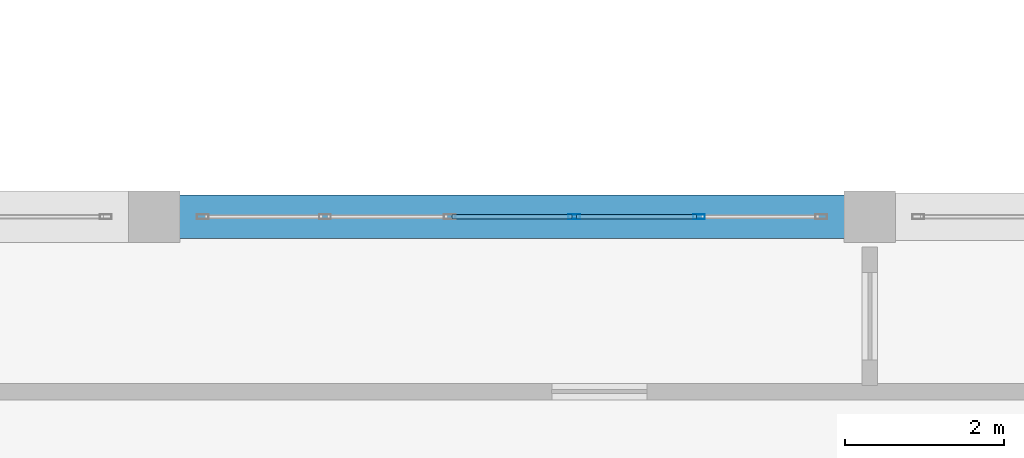
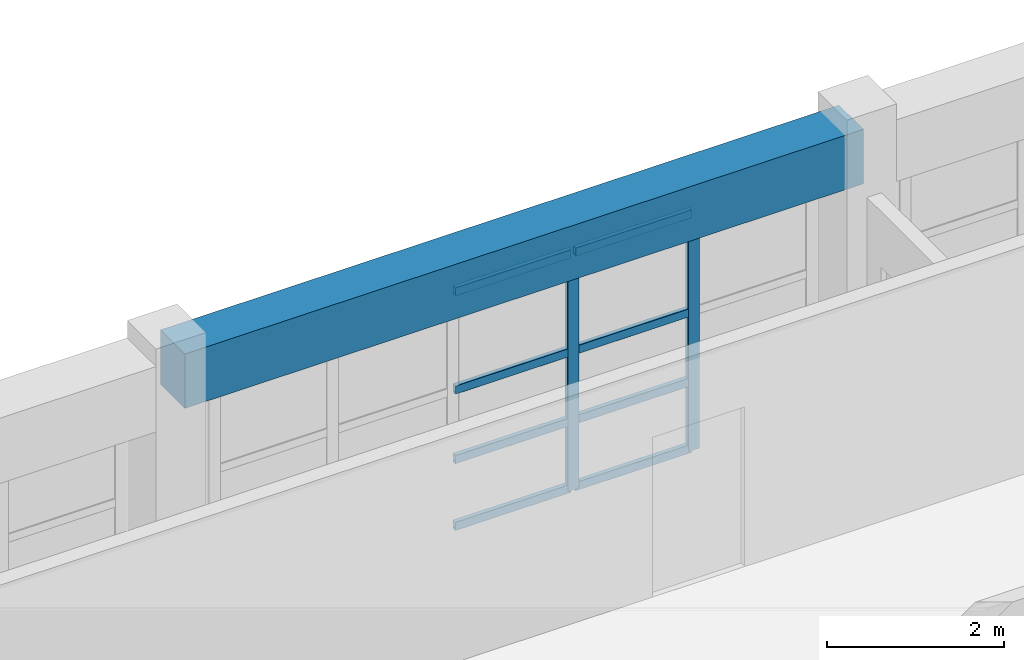
# One storey, part 23 of 130: 10 members, 1 beam, 1 element without a shape of its own.
"""IFC4 building model written with IfcOpenShell, lengths in metres."""

from ifc_helpers import new_model, si_unit, direction, frame, origin, origin_2d, place, context, subcontext, project, spatial, rectangle, hollow_rectangle, extrude, material, material_profile, profile_set, type_object, element, aggregate, save


model = new_model("IFC4")

# Units and contexts
model_context = context("Model", 3, precision=1e-05, world=origin(), true_north=direction((0.0, 1.0)))
body_context = subcontext(model_context, "Body", "Model", "MODEL_VIEW")
ifc_project = project(units=[si_unit("LENGTHUNIT", "METRE"), si_unit("AREAUNIT", "SQUARE_METRE"), si_unit("VOLUMEUNIT", "CUBIC_METRE"), si_unit("PLANEANGLEUNIT", "RADIAN"), si_unit("MASSUNIT", "GRAM", prefix="KILO")], contexts=[model_context])

# Site, building, storey
site_placement = place(None, origin())
site = spatial("IfcSite", under=ifc_project, at=site_placement, CompositionType="ELEMENT")
building_placement = place(site_placement, origin())
building = spatial("IfcBuilding", under=site, at=building_placement, Name="Miravela Opera House", CompositionType="ELEMENT")
storey_placement = place(building_placement, frame((0.0, 0.0, 9.52001953125)))
storey = spatial("IfcBuildingStorey", under=building, at=storey_placement, Name="L02", CompositionType="ELEMENT", Elevation=9.52001953125)

# Curtain wall, members
ifc_material_1 = material(Name="Anodised architectural bronze aluminium 6063-T6", Category="aluminium")
curtain_wall_type = type_object("IfcCurtainWallType", Name="ARC-CW-06", PredefinedType="NOTDEFINED", material=ifc_material_1)
curtain_wall_placement = place(storey_placement, origin())
curtain_wall = element("IfcCurtainWall", 1, at=curtain_wall_placement, inside=storey, type_object=curtain_wall_type, Name="Courtyard Arcade Curtain Wall CW-L02-141", PredefinedType="NOTDEFINED")
ifc_material_profile_1 = material_profile(ifc_material_1, hollow_rectangle(XDim=0.06005859375, YDim=0.14990234375, WallThickness=0.00390625, InnerFilletRadius=0.001953125, OuterFilletRadius=0.00390625, at=origin_2d()), Name="CWM-60X150")
ifc_profile_set_1 = profile_set([ifc_material_profile_1])
member_type_1 = type_object("IfcMemberType", Name="ARC-CWM-150", PredefinedType="MULLION", material=ifc_profile_set_1)
member_1_placement = place(storey_placement, frame((50.283935546875, 9.0, 0.0), z_axis=(0.0, 0.0, 1.0), x_axis=(0.0, 1.0, 0.0)))
member_1 = element("IfcMember", 2, at=member_1_placement, type_object=member_type_1, Name="CW-06 mullion 4", PredefinedType="MULLION", context=body_context, shape_type="SweptSolid", body=[
    extrude(hollow_rectangle(XDim=0.06005859375, YDim=0.14990234375, WallThickness=0.00390625, InnerFilletRadius=0.001953125, OuterFilletRadius=0.00390625, at=origin_2d()), origin(), (0.0, 0.0, 1.0), 3.2900390625),
])
member_2_placement = place(storey_placement, frame((51.85205078125, 9.0, 0.0), z_axis=(0.0, 0.0, 1.0), x_axis=(0.0, 1.0, 0.0)))
member_2 = element("IfcMember", 3, at=member_2_placement, type_object=member_type_1, Name="CW-06 mullion 5", PredefinedType="MULLION", context=body_context, shape_type="SweptSolid", body=[
    extrude(hollow_rectangle(XDim=0.06005859375, YDim=0.14990234375, WallThickness=0.00390625, InnerFilletRadius=0.001953125, OuterFilletRadius=0.00390625, at=origin_2d()), origin(), (0.0, 0.0, 1.0), 3.2900390625),
])
ifc_material_profile_2 = material_profile(ifc_material_1, hollow_rectangle(XDim=0.06005859375, YDim=0.114990234375, WallThickness=0.00390625, InnerFilletRadius=0.001953125, OuterFilletRadius=0.00390625, at=origin_2d()), Name="CWT-60X115")
ifc_profile_set_2 = profile_set([ifc_material_profile_2])
member_type_2 = type_object("IfcMemberType", Name="ARC-CWT-115", PredefinedType="USERDEFINED", material=ifc_profile_set_2)
member_3_placement = place(storey_placement, frame((48.74609375, 9.0, 0.030029296875), z_axis=(1.0, 0.0, 0.0), x_axis=(0.0, 1.0, 0.0)))
member_3 = element("IfcMember", 4, at=member_3_placement, type_object=member_type_2, Name="CW-06 transom 3.1", ObjectType="TRANSOM", PredefinedType="USERDEFINED", context=body_context, shape_type="SweptSolid", body=[
    extrude(hollow_rectangle(XDim=0.06005859375, YDim=0.114990234375, WallThickness=0.00390625, InnerFilletRadius=0.001953125, OuterFilletRadius=0.00390625, at=origin_2d()), origin(), (0.0, 0.0, 1.0), 1.5078125),
])
member_4_placement = place(storey_placement, frame((48.74609375, 9.0, 0.949951171875), z_axis=(1.0, 0.0, 0.0), x_axis=(0.0, 1.0, 0.0)))
member_4 = element("IfcMember", 5, at=member_4_placement, type_object=member_type_2, Name="CW-06 transom 3.2", ObjectType="TRANSOM", PredefinedType="USERDEFINED", context=body_context, shape_type="SweptSolid", body=[
    extrude(hollow_rectangle(XDim=0.06005859375, YDim=0.114990234375, WallThickness=0.00390625, InnerFilletRadius=0.001953125, OuterFilletRadius=0.00390625, at=origin_2d()), origin(), (0.0, 0.0, 1.0), 1.5078125),
])
member_5_placement = place(storey_placement, frame((48.74609375, 9.0, 1.908203125), z_axis=(1.0, 0.0, 0.0), x_axis=(0.0, 1.0, 0.0)))
member_5 = element("IfcMember", 6, at=member_5_placement, type_object=member_type_2, Name="CW-06 transom 3.3", ObjectType="TRANSOM", PredefinedType="USERDEFINED", context=body_context, shape_type="SweptSolid", body=[
    extrude(hollow_rectangle(XDim=0.06005859375, YDim=0.114990234375, WallThickness=0.00390625, InnerFilletRadius=0.001953125, OuterFilletRadius=0.00390625, at=origin_2d()), origin(), (0.0, 0.0, 1.0), 1.5078125),
])
member_6_placement = place(storey_placement, frame((48.74609375, 9.0, 3.260009765625), z_axis=(1.0, 0.0, 0.0), x_axis=(0.0, 1.0, 0.0)))
member_6 = element("IfcMember", 7, at=member_6_placement, type_object=member_type_2, Name="CW-06 transom 3.4", ObjectType="TRANSOM", PredefinedType="USERDEFINED", context=body_context, shape_type="SweptSolid", body=[
    extrude(hollow_rectangle(XDim=0.06005859375, YDim=0.114990234375, WallThickness=0.00390625, InnerFilletRadius=0.001953125, OuterFilletRadius=0.00390625, at=origin_2d()), origin(), (0.0, 0.0, 1.0), 1.5078125),
])
member_7_placement = place(storey_placement, frame((50.31396484375, 9.0, 0.030029296875), z_axis=(1.0, 0.0, 0.0), x_axis=(0.0, 1.0, 0.0)))
member_7 = element("IfcMember", 8, at=member_7_placement, type_object=member_type_2, Name="CW-06 transom 4.1", ObjectType="TRANSOM", PredefinedType="USERDEFINED", context=body_context, shape_type="SweptSolid", body=[
    extrude(hollow_rectangle(XDim=0.06005859375, YDim=0.114990234375, WallThickness=0.00390625, InnerFilletRadius=0.001953125, OuterFilletRadius=0.00390625, at=origin_2d()), origin(), (0.0, 0.0, 1.0), 1.508056640625),
])
member_8_placement = place(storey_placement, frame((50.31396484375, 9.0, 0.949951171875), z_axis=(1.0, 0.0, 0.0), x_axis=(0.0, 1.0, 0.0)))
member_8 = element("IfcMember", 9, at=member_8_placement, type_object=member_type_2, Name="CW-06 transom 4.2", ObjectType="TRANSOM", PredefinedType="USERDEFINED", context=body_context, shape_type="SweptSolid", body=[
    extrude(hollow_rectangle(XDim=0.06005859375, YDim=0.114990234375, WallThickness=0.00390625, InnerFilletRadius=0.001953125, OuterFilletRadius=0.00390625, at=origin_2d()), origin(), (0.0, 0.0, 1.0), 1.508056640625),
])
member_9_placement = place(storey_placement, frame((50.31396484375, 9.0, 1.908203125), z_axis=(1.0, 0.0, 0.0), x_axis=(0.0, 1.0, 0.0)))
member_9 = element("IfcMember", 10, at=member_9_placement, type_object=member_type_2, Name="CW-06 transom 4.3", ObjectType="TRANSOM", PredefinedType="USERDEFINED", context=body_context, shape_type="SweptSolid", body=[
    extrude(hollow_rectangle(XDim=0.06005859375, YDim=0.114990234375, WallThickness=0.00390625, InnerFilletRadius=0.001953125, OuterFilletRadius=0.00390625, at=origin_2d()), origin(), (0.0, 0.0, 1.0), 1.508056640625),
])
member_10_placement = place(storey_placement, frame((50.31396484375, 9.0, 3.260009765625), z_axis=(1.0, 0.0, 0.0), x_axis=(0.0, 1.0, 0.0)))
member_10 = element("IfcMember", 11, at=member_10_placement, type_object=member_type_2, Name="CW-06 transom 4.4", ObjectType="TRANSOM", PredefinedType="USERDEFINED", context=body_context, shape_type="SweptSolid", body=[
    extrude(hollow_rectangle(XDim=0.06005859375, YDim=0.114990234375, WallThickness=0.00390625, InnerFilletRadius=0.001953125, OuterFilletRadius=0.00390625, at=origin_2d()), origin(), (0.0, 0.0, 1.0), 1.508056640625),
])
aggregate(curtain_wall, [member_1, member_2, member_3, member_4, member_5, member_6, member_7, member_8, member_9, member_10])

# Beam
ifc_material_2 = material(Name="Concrete C35/45", Category="concrete")
ifc_material_profile_3 = material_profile(ifc_material_2, rectangle(XDim=0.550048828125, YDim=0.75, at=origin_2d()), Name="RC-BM-550X750")
ifc_profile_set_3 = profile_set([ifc_material_profile_3])
beam_type = type_object("IfcBeamType", Name="STR-BM-RC550X750", PredefinedType="BEAM", material=ifc_profile_set_3)
beam_placement = place(storey_placement, frame((45.080078125, 9.0, 3.465087890625), z_axis=(1.0, 0.0, 0.0), x_axis=(0.0, 1.0, 0.0)))
element("IfcBeam", 12, at=beam_placement, inside=storey, type_object=beam_type, Name="Floor Girder L02 6-7/B", PredefinedType="BEAM", context=body_context, shape_type="SweptSolid", body=[
    extrude(rectangle(XDim=0.550048828125, YDim=0.75, at=origin_2d()), origin(), (0.0, 0.0, 1.0), 8.83984375),
])

save(model, "model.ifc")
